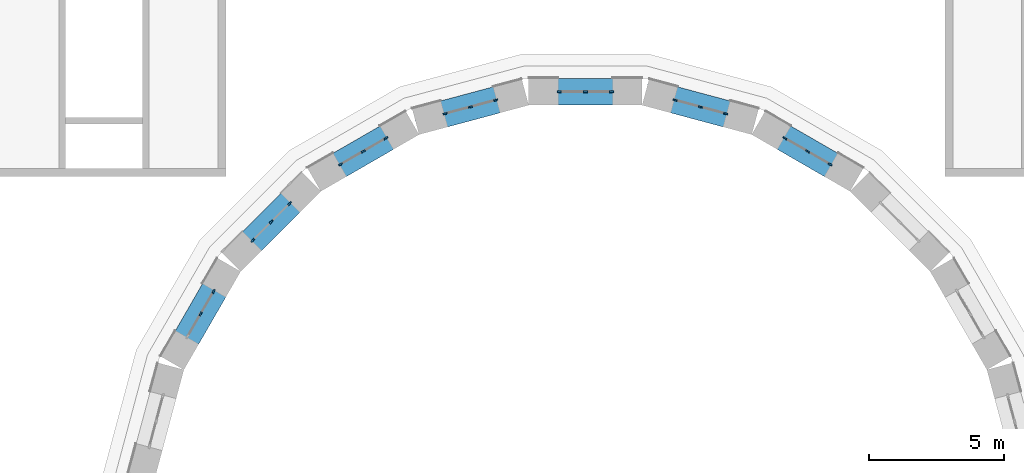
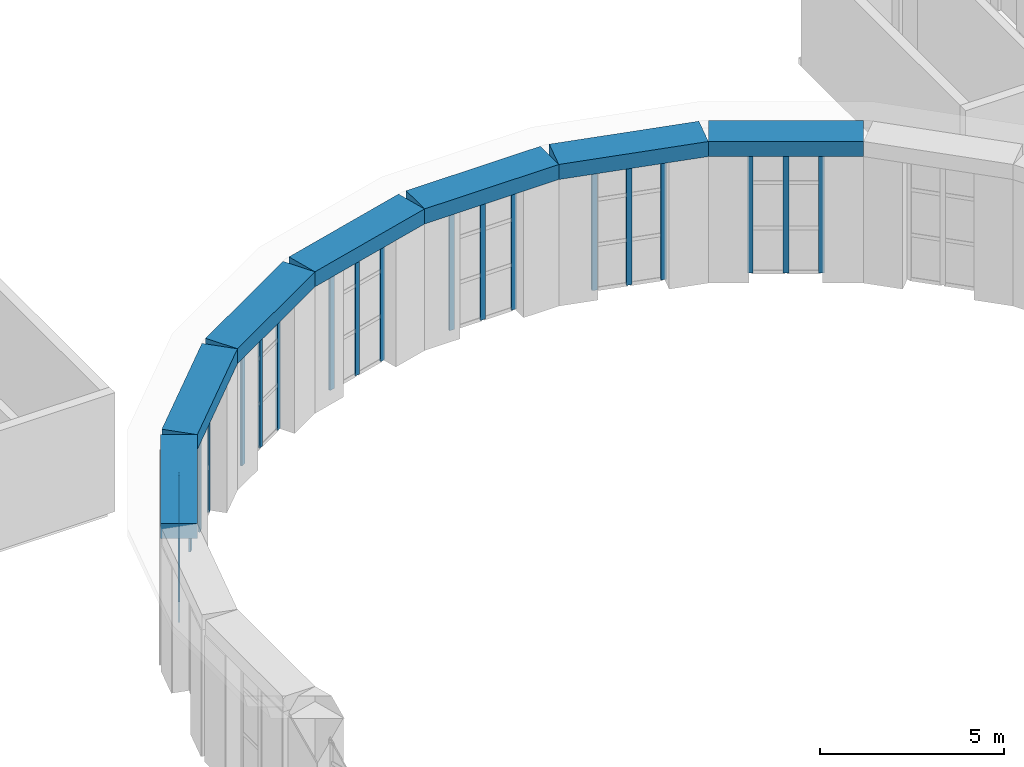
# One storey, part 61 of 121: 20 members, 7 beams, 7 elements without a shape of their own.
"""IFC4 building model written with IfcOpenShell, lengths in metres."""

from ifc_helpers import new_model, si_unit, direction, frame, origin, origin_2d, place, context, subcontext, project, spatial, rectangle, extrude, material, layer, layer_set, material_profile, profile_set, type_object, element, aggregate, save


model = new_model("IFC4")

# Units and contexts
model_context = context("Model", 3, precision=1e-05, world=origin(), true_north=direction((0.0, 1.0)))
body_context = subcontext(model_context, "Body", "Model", "MODEL_VIEW")
ifc_project = project(units=[si_unit("LENGTHUNIT", "METRE"), si_unit("AREAUNIT", "SQUARE_METRE"), si_unit("VOLUMEUNIT", "CUBIC_METRE"), si_unit("PLANEANGLEUNIT", "RADIAN"), si_unit("MASSUNIT", "GRAM", prefix="KILO")], contexts=[model_context])

# Site, building, storey
site_placement = place(None, origin())
site = spatial("IfcSite", under=ifc_project, at=site_placement, CompositionType="ELEMENT")
building_placement = place(site_placement, origin())
building = spatial("IfcBuilding", under=site, at=building_placement, Name="Golden Quay Civic Hall", CompositionType="ELEMENT")
storey_placement = place(building_placement, frame((0.0, 0.0, 18.60009765625)))
storey = spatial("IfcBuildingStorey", under=building, at=storey_placement, Name="L04", CompositionType="ELEMENT", Elevation=18.60009765625)

# Curtain wall, members
ifc_material_1 = material(Name="Glass, laminated double glazed", Category="glass")
ifc_layer = layer(ifc_material_1, 0.199951171875)
ifc_layer_set = layer_set([ifc_layer], Name="Glazed drum clerestory curtain wall")
curtain_wall_type = type_object("IfcCurtainWallType", Name="Glazed drum clerestory curtain wall", PredefinedType="NOTDEFINED", material=ifc_layer_set)
curtain_wall_1_placement = place(storey_placement, origin())
curtain_wall_1 = element("IfcCurtainWall", 1, at=curtain_wall_1_placement, inside=storey, type_object=curtain_wall_type, Name="Clerestory curtain wall 4", PredefinedType="NOTDEFINED")
ifc_material_2 = material(Name="Aluminium, anodised", Category="aluminium")
ifc_material_profile_1 = material_profile(ifc_material_2, rectangle(XDim=0.06005859375, YDim=0.159912109375, at=origin_2d()), Name="Aluminium 60 x 160")
ifc_profile_set_1 = profile_set([ifc_material_profile_1], Name="Aluminium, anodised")
member_type = type_object("IfcMemberType", Name="Aluminium mullion 60 x 160", PredefinedType="MULLION", material=ifc_profile_set_1)
member_1_placement = place(storey_placement, frame((94.590087890625, 99.304443359375, -0.2001953125), z_axis=(0.0, 0.0, 1.0), x_axis=(-0.500011000366, -0.866019052627, 0.0)))
member_1 = element("IfcMember", 2, at=member_1_placement, type_object=member_type, Name="CW5 mullion 1", PredefinedType="MULLION", context=body_context, shape_type="SweptSolid", body=[
    extrude(rectangle(XDim=0.06005859375, YDim=0.159912109375, at=origin_2d()), origin(), (0.0, 0.0, 1.0), 4.2001953125),
])
member_2_placement = place(storey_placement, frame((93.75, 99.789306640625, -0.2001953125), z_axis=(0.0, 0.0, 1.0), x_axis=(-0.500011000366, -0.866019052627, 0.0)))
member_2 = element("IfcMember", 3, at=member_2_placement, type_object=member_type, Name="CW5 mullion 2", PredefinedType="MULLION", context=body_context, shape_type="SweptSolid", body=[
    extrude(rectangle(XDim=0.06005859375, YDim=0.159912109375, at=origin_2d()), origin(), (0.0, 0.0, 1.0), 4.2001953125),
])
member_3_placement = place(storey_placement, frame((92.909912109375, 100.2744140625, -0.2001953125), z_axis=(0.0, 0.0, 1.0), x_axis=(-0.500011000366, -0.866019052627, 0.0)))
member_3 = element("IfcMember", 4, at=member_3_placement, type_object=member_type, Name="CW5 mullion 3", PredefinedType="MULLION", context=body_context, shape_type="SweptSolid", body=[
    extrude(rectangle(XDim=0.06005859375, YDim=0.159912109375, at=origin_2d()), origin(), (0.0, 0.0, 1.0), 4.2001953125),
])
aggregate(curtain_wall_1, [member_1, member_2, member_3])

curtain_wall_2_placement = place(storey_placement, origin())
curtain_wall_2 = element("IfcCurtainWall", 5, at=curtain_wall_2_placement, inside=storey, type_object=curtain_wall_type, Name="Clerestory curtain wall 5", PredefinedType="NOTDEFINED")
member_4_placement = place(storey_placement, frame((90.70751953125, 101.186767578125, -0.2001953125), z_axis=(0.0, 0.0, 1.0), x_axis=(-0.258807731996, -0.965928857556, 0.0)))
member_4 = element("IfcMember", 6, at=member_4_placement, type_object=member_type, Name="CW5 mullion 1", PredefinedType="MULLION", context=body_context, shape_type="SweptSolid", body=[
    extrude(rectangle(XDim=0.06005859375, YDim=0.159912109375, at=origin_2d()), origin(), (0.0, 0.0, 1.0), 4.2001953125),
])
member_5_placement = place(storey_placement, frame((89.7705078125, 101.437744140625, -0.2001953125), z_axis=(0.0, 0.0, 1.0), x_axis=(-0.258807731996, -0.965928857556, 0.0)))
member_5 = element("IfcMember", 7, at=member_5_placement, type_object=member_type, Name="CW5 mullion 2", PredefinedType="MULLION", context=body_context, shape_type="SweptSolid", body=[
    extrude(rectangle(XDim=0.06005859375, YDim=0.159912109375, at=origin_2d()), origin(), (0.0, 0.0, 1.0), 4.2001953125),
])
member_6_placement = place(storey_placement, frame((88.83349609375, 101.688720703125, -0.2001953125), z_axis=(0.0, 0.0, 1.0), x_axis=(-0.258807731996, -0.965928857556, 0.0)))
member_6 = element("IfcMember", 8, at=member_6_placement, type_object=member_type, Name="CW5 mullion 3", PredefinedType="MULLION", context=body_context, shape_type="SweptSolid", body=[
    extrude(rectangle(XDim=0.06005859375, YDim=0.159912109375, at=origin_2d()), origin(), (0.0, 0.0, 1.0), 4.2001953125),
])
aggregate(curtain_wall_2, [member_4, member_5, member_6])

curtain_wall_3_placement = place(storey_placement, origin())
curtain_wall_3 = element("IfcCurtainWall", 9, at=curtain_wall_3_placement, inside=storey, type_object=curtain_wall_type, Name="Clerestory curtain wall 6", PredefinedType="NOTDEFINED")
member_7_placement = place(storey_placement, frame((86.469970703125, 102.0, -0.2001953125), z_axis=(0.0, 0.0, 1.0), x_axis=(0.0, -1.0, 0.0)))
member_7 = element("IfcMember", 10, at=member_7_placement, type_object=member_type, Name="CW5 mullion 1", PredefinedType="MULLION", context=body_context, shape_type="SweptSolid", body=[
    extrude(rectangle(XDim=0.06005859375, YDim=0.159912109375, at=origin_2d()), origin(), (0.0, 0.0, 1.0), 4.2001953125),
])
member_8_placement = place(storey_placement, frame((85.5, 102.0, -0.2001953125), z_axis=(0.0, 0.0, 1.0), x_axis=(0.0, -1.0, 0.0)))
member_8 = element("IfcMember", 11, at=member_8_placement, type_object=member_type, Name="CW5 mullion 2", PredefinedType="MULLION", context=body_context, shape_type="SweptSolid", body=[
    extrude(rectangle(XDim=0.06005859375, YDim=0.159912109375, at=origin_2d()), origin(), (0.0, 0.0, 1.0), 4.2001953125),
])
member_9_placement = place(storey_placement, frame((84.530029296875, 102.0, -0.2001953125), z_axis=(0.0, 0.0, 1.0), x_axis=(0.0, -1.0, 0.0)))
member_9 = element("IfcMember", 12, at=member_9_placement, type_object=member_type, Name="CW5 mullion 3", PredefinedType="MULLION", context=body_context, shape_type="SweptSolid", body=[
    extrude(rectangle(XDim=0.06005859375, YDim=0.159912109375, at=origin_2d()), origin(), (0.0, 0.0, 1.0), 4.2001953125),
])
aggregate(curtain_wall_3, [member_7, member_8, member_9])

curtain_wall_4_placement = place(storey_placement, origin())
curtain_wall_4 = element("IfcCurtainWall", 13, at=curtain_wall_4_placement, inside=storey, type_object=curtain_wall_type, Name="Clerestory curtain wall 7", PredefinedType="NOTDEFINED")
member_10_placement = place(storey_placement, frame((82.16650390625, 101.688720703125, -0.2001953125), z_axis=(0.0, 0.0, 1.0), x_axis=(0.258807731996, -0.965928857556, 0.0)))
member_10 = element("IfcMember", 14, at=member_10_placement, type_object=member_type, Name="CW5 mullion 1", PredefinedType="MULLION", context=body_context, shape_type="SweptSolid", body=[
    extrude(rectangle(XDim=0.06005859375, YDim=0.159912109375, at=origin_2d()), origin(), (0.0, 0.0, 1.0), 4.2001953125),
])
member_11_placement = place(storey_placement, frame((81.2294921875, 101.437744140625, -0.2001953125), z_axis=(0.0, 0.0, 1.0), x_axis=(0.258807731996, -0.965928857556, 0.0)))
member_11 = element("IfcMember", 15, at=member_11_placement, type_object=member_type, Name="CW5 mullion 2", PredefinedType="MULLION", context=body_context, shape_type="SweptSolid", body=[
    extrude(rectangle(XDim=0.06005859375, YDim=0.159912109375, at=origin_2d()), origin(), (0.0, 0.0, 1.0), 4.2001953125),
])
member_12_placement = place(storey_placement, frame((80.29248046875, 101.186767578125, -0.2001953125), z_axis=(0.0, 0.0, 1.0), x_axis=(0.258807731996, -0.965928857556, 0.0)))
member_12 = element("IfcMember", 16, at=member_12_placement, type_object=member_type, Name="CW5 mullion 3", PredefinedType="MULLION", context=body_context, shape_type="SweptSolid", body=[
    extrude(rectangle(XDim=0.06005859375, YDim=0.159912109375, at=origin_2d()), origin(), (0.0, 0.0, 1.0), 4.2001953125),
])
aggregate(curtain_wall_4, [member_10, member_11, member_12])

curtain_wall_5_placement = place(storey_placement, origin())
curtain_wall_5 = element("IfcCurtainWall", 17, at=curtain_wall_5_placement, inside=storey, type_object=curtain_wall_type, Name="Clerestory curtain wall 8", PredefinedType="NOTDEFINED")
member_13_placement = place(storey_placement, frame((78.090087890625, 100.2744140625, -0.2001953125), z_axis=(0.0, 0.0, 1.0), x_axis=(0.500011000366, -0.866019052627, 0.0)))
member_13 = element("IfcMember", 18, at=member_13_placement, type_object=member_type, Name="CW5 mullion 1", PredefinedType="MULLION", context=body_context, shape_type="SweptSolid", body=[
    extrude(rectangle(XDim=0.06005859375, YDim=0.159912109375, at=origin_2d()), origin(), (0.0, 0.0, 1.0), 4.2001953125),
])
member_14_placement = place(storey_placement, frame((77.25, 99.789306640625, -0.2001953125), z_axis=(0.0, 0.0, 1.0), x_axis=(0.500011000366, -0.866019052627, 0.0)))
member_14 = element("IfcMember", 19, at=member_14_placement, type_object=member_type, Name="CW5 mullion 2", PredefinedType="MULLION", context=body_context, shape_type="SweptSolid", body=[
    extrude(rectangle(XDim=0.06005859375, YDim=0.159912109375, at=origin_2d()), origin(), (0.0, 0.0, 1.0), 4.2001953125),
])
member_15_placement = place(storey_placement, frame((76.409912109375, 99.304443359375, -0.2001953125), z_axis=(0.0, 0.0, 1.0), x_axis=(0.500011000366, -0.866019052627, 0.0)))
member_15 = element("IfcMember", 20, at=member_15_placement, type_object=member_type, Name="CW5 mullion 3", PredefinedType="MULLION", context=body_context, shape_type="SweptSolid", body=[
    extrude(rectangle(XDim=0.06005859375, YDim=0.159912109375, at=origin_2d()), origin(), (0.0, 0.0, 1.0), 4.2001953125),
])
aggregate(curtain_wall_5, [member_13, member_14, member_15])

curtain_wall_6_placement = place(storey_placement, origin())
curtain_wall_6 = element("IfcCurtainWall", 21, at=curtain_wall_6_placement, inside=storey, type_object=curtain_wall_type, Name="Clerestory curtain wall 9", PredefinedType="NOTDEFINED")
member_16_placement = place(storey_placement, frame((74.5185546875, 97.853271484375, -0.2001953125), z_axis=(0.0, 0.0, 1.0), x_axis=(0.707106781187, -0.707106781187, 0.0)))
member_16 = element("IfcMember", 22, at=member_16_placement, type_object=member_type, Name="CW5 mullion 1", PredefinedType="MULLION", context=body_context, shape_type="SweptSolid", body=[
    extrude(rectangle(XDim=0.06005859375, YDim=0.159912109375, at=origin_2d()), origin(), (0.0, 0.0, 1.0), 4.2001953125),
])
member_17_placement = place(storey_placement, frame((73.832763671875, 97.167236328125, -0.2001953125), z_axis=(0.0, 0.0, 1.0), x_axis=(0.707106781187, -0.707106781187, 0.0)))
member_17 = element("IfcMember", 23, at=member_17_placement, type_object=member_type, Name="CW5 mullion 2", PredefinedType="MULLION", context=body_context, shape_type="SweptSolid", body=[
    extrude(rectangle(XDim=0.06005859375, YDim=0.159912109375, at=origin_2d()), origin(), (0.0, 0.0, 1.0), 4.2001953125),
])
member_18_placement = place(storey_placement, frame((73.146728515625, 96.4814453125, -0.2001953125), z_axis=(0.0, 0.0, 1.0), x_axis=(0.707106781187, -0.707106781187, 0.0)))
member_18 = element("IfcMember", 24, at=member_18_placement, type_object=member_type, Name="CW5 mullion 3", PredefinedType="MULLION", context=body_context, shape_type="SweptSolid", body=[
    extrude(rectangle(XDim=0.06005859375, YDim=0.159912109375, at=origin_2d()), origin(), (0.0, 0.0, 1.0), 4.2001953125),
])
aggregate(curtain_wall_6, [member_16, member_17, member_18])

curtain_wall_7_placement = place(storey_placement, origin())
curtain_wall_7 = element("IfcCurtainWall", 25, at=curtain_wall_7_placement, inside=storey, type_object=curtain_wall_type, Name="Clerestory curtain wall 10", PredefinedType="NOTDEFINED")
member_19_placement = place(storey_placement, frame((71.695556640625, 94.590087890625, -0.2001953125), z_axis=(0.0, 0.0, 1.0), x_axis=(0.866019052627, -0.500011000366, 0.0)))
member_19 = element("IfcMember", 26, at=member_19_placement, type_object=member_type, Name="CW5 mullion 1", PredefinedType="MULLION", context=body_context, shape_type="SweptSolid", body=[
    extrude(rectangle(XDim=0.06005859375, YDim=0.159912109375, at=origin_2d()), origin(), (0.0, 0.0, 1.0), 4.2001953125),
])
member_20_placement = place(storey_placement, frame((71.210693359375, 93.75, -0.2001953125), z_axis=(0.0, 0.0, 1.0), x_axis=(0.866019052627, -0.500011000366, 0.0)))
member_20 = element("IfcMember", 27, at=member_20_placement, type_object=member_type, Name="CW5 mullion 2", PredefinedType="MULLION", context=body_context, shape_type="SweptSolid", body=[
    extrude(rectangle(XDim=0.06005859375, YDim=0.159912109375, at=origin_2d()), origin(), (0.0, 0.0, 1.0), 4.2001953125),
])
aggregate(curtain_wall_7, [member_19, member_20])

# Beams
ifc_material_3 = material(Name="Concrete C40/50", Category="concrete")
ifc_material_profile_2 = material_profile(ifc_material_3, rectangle(XDim=1.0, YDim=0.5, at=origin_2d()), Name="RC 1000x500")
ifc_profile_set_2 = profile_set([ifc_material_profile_2], Name="Concrete C40/50")
beam_type = type_object("IfcBeamType", Name="Reinforced concrete springing ring beam 1000x500", PredefinedType="BEAM", material=ifc_profile_set_2)
for number, where, z_axis, x_axis, name in (
    (28, (95.57421875, 98.736083984375, 4.25), (-0.866023457084, 0.500003371769, 0.0), (-0.500003371769, -0.866023457084, 0.0), "Drum ring beam segment 4"),
    (29, (91.80517578125, 100.892578125, 4.25), (-0.965928392597, 0.258809467323, 0.0), (-0.258809467323, -0.965928392597, 0.0), "Drum ring beam segment 5"),
    (30, (87.6064453125, 102.0, 4.25), (-1.0, 0.0, 0.0), (0.0, -1.0, 0.0), "Drum ring beam segment 6"),
    (31, (83.26416015625, 101.98291015625, 4.25), (-0.965928392597, -0.258809467323, 0.0), (0.258809467323, -0.965928392597, 0.0), "Drum ring beam segment 7"),
    (32, (79.07421875, 100.842529296875, 4.25), (-0.866023457084, -0.500003371769, 0.0), (0.500003371769, -0.866023457084, 0.0), "Drum ring beam segment 8"),
    (33, (75.322265625, 98.65673828125, 4.25), (-0.707106781187, -0.707106781187, 0.0), (0.707106781187, -0.707106781187, 0.0), "Drum ring beam segment 9"),
    (34, (72.263916015625, 95.57421875, 4.25), (-0.500003371769, -0.866023457084, 0.0), (0.866023457084, -0.500003371769, 0.0), "Drum ring beam segment 10"),
):
    element("IfcBeam", number, at=place(storey_placement, frame(where, z_axis=z_axis, x_axis=x_axis)), inside=storey, type_object=beam_type, Name=name, PredefinedType="BEAM", context=body_context, shape_type="SweptSolid", body=[
        extrude(rectangle(XDim=1.0, YDim=0.5, at=origin_2d()), origin(), (0.0, 0.0, 1.0), 4.212890625),
    ])

save(model, "model.ifc")
